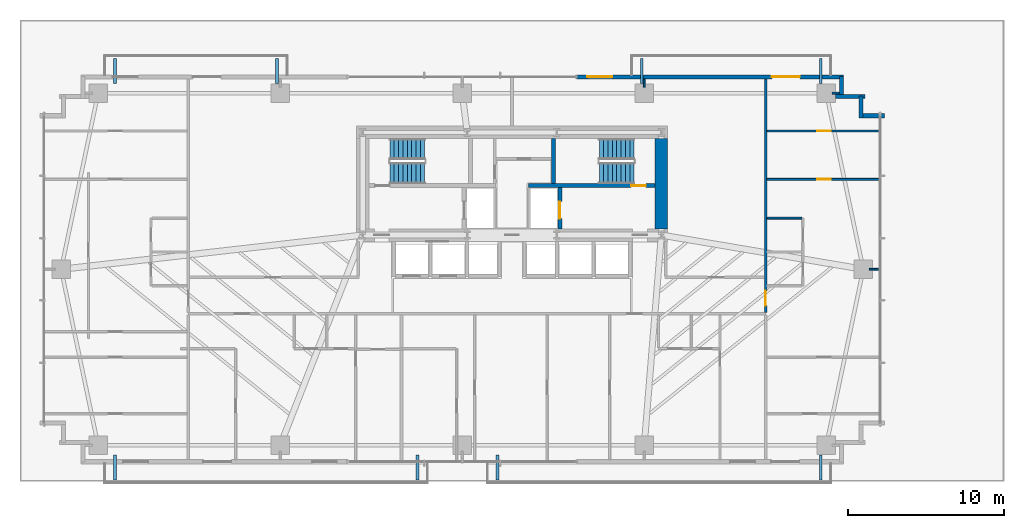
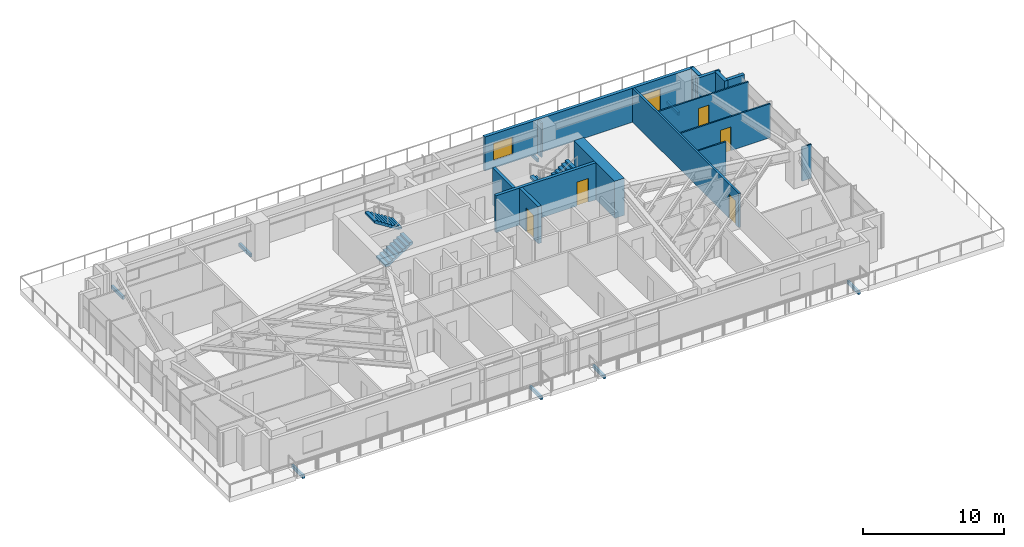
# One storey, part 22 of 26: 16 walls, 8 discrete accessories, 6 doors, 4 stair flights, 1 window, 7 openings, 2 elements without a shape of their own.
"""IFC4 building model written with IfcOpenShell, lengths in metres."""

from ifc_helpers import new_model, si_unit, direction, frame, frame_2d, origin, origin_2d, place, context, subcontext, project, spatial, polyline, rectangle, outline, extrude, source, transform, mapped, material, layer, layer_set, type_object, type_shapes, element, fill, aggregate, save


model = new_model("IFC4")

# Units and contexts
model_context = context("Model", 3, precision=1e-05, world=origin(), true_north=direction((0.0, 1.0)))
body_context = subcontext(model_context, "Body", "Model", "MODEL_VIEW")
ifc_project = project(units=[si_unit("LENGTHUNIT", "METRE"), si_unit("AREAUNIT", "SQUARE_METRE"), si_unit("VOLUMEUNIT", "CUBIC_METRE"), si_unit("PLANEANGLEUNIT", "RADIAN"), si_unit("MASSUNIT", "GRAM", prefix="KILO")], contexts=[model_context])

# Site, building, storey
site_placement = place(None, origin())
site = spatial("IfcSite", under=ifc_project, at=site_placement, CompositionType="ELEMENT")
building_placement = place(site_placement, origin())
building = spatial("IfcBuilding", under=site, at=building_placement, Name="Astriad Promenade Condominiums", CompositionType="ELEMENT")
storey_placement = place(building_placement, frame((0.0, 0.0, 23.0)))
storey = spatial("IfcBuildingStorey", under=building, at=storey_placement, Name="L05", CompositionType="ELEMENT", Elevation=23.0)

# Wall
ifc_material_1 = material(Name="Concrete C80/95", Category="concrete")
ifc_layer_1 = layer(ifc_material_1, 0.800048828125)
ifc_layer_set_1 = layer_set([ifc_layer_1], Name="Concrete C80/95")
wall_type_1 = type_object("IfcWallType", Name="CW-SHEAR-800", PredefinedType="SHEAR", material=ifc_layer_set_1)
wall_1_placement = place(storey_placement, frame((45.60009765625, 17.802001953125, 0.0), z_axis=(0.0, 0.0, 1.0), x_axis=(0.0, 1.0, 0.0)))
element("IfcWall", 1, at=wall_1_placement, inside=storey, type_object=wall_type_1, Name="CW-CORE-E-L05", PredefinedType="SHEAR", context=body_context, shape_type="SweptSolid", body=[
    extrude(rectangle(XDim=5.7958984375, YDim=0.800048828125, at=frame_2d((2.89794921875, 0.0))), origin(), (0.0, 0.0, 1.0), 3.199951171875),
])

# Wall, opening, door
ifc_material_2 = material(Name="Concrete C50/60", Category="concrete")
ifc_layer_2 = layer(ifc_material_2, 0.25)
ifc_layer_set_2 = layer_set([ifc_layer_2], Name="Concrete C50/60")
wall_type_2 = type_object("IfcWallType", Name="WALL-CORE-INT-250", PredefinedType="SOLIDWALL", material=ifc_layer_set_2)
wall_2_placement = place(storey_placement, frame((37.050048828125, 20.574951171875, 0.0), z_axis=(0.0, 0.0, 1.0), x_axis=(1.0, 0.0, 0.0)))
wall_2 = element("IfcWall", 2, at=wall_2_placement, inside=storey, type_object=wall_type_2, Name="CW-INT-H2-L05", PredefinedType="SOLIDWALL", context=body_context, shape_type="SweptSolid", body=[
    extrude(rectangle(XDim=8.14794921875, YDim=0.25, at=frame_2d((4.073974609375, 0.0))), origin(), (0.0, 0.0, 1.0), 3.199951171875),
])
opening_1_placement = place(wall_2_placement, frame((6.60009765625, 0.0, 0.0)))
opening_1 = element("IfcOpeningElement", 3, at=opening_1_placement, cuts=wall_2, Name="Opening FD90-ST-095", PredefinedType="OPENING", context=body_context, shape_type="SweptSolid", body=[
    extrude(rectangle(XDim=0.949951171875, YDim=2.06005859375, at=frame_2d((0.47509765625, 1.030029296875))), frame((0.0, 0.135009765625, 0.0), z_axis=(0.0, -1.0, 0.0), x_axis=(1.0, 0.0, 0.0)), (0.0, 0.0, 1.0), 0.27001953125),
])
ifc_material_3 = material(Name="Fire-Rated Hollow Metal Stair Door")
door_type_1 = type_object("IfcDoorType", Name="FD90-ST-095", OperationType="NOTDEFINED", PredefinedType="DOOR", material=ifc_material_3)
shared_shape_1 = source(origin(), body_context, "Body", "SweptSolid", [
    extrude(rectangle(XDim=0.949951171875, YDim=2.06005859375, at=frame_2d((0.47509765625, 1.030029296875))), frame((0.0, 0.02490234375, 0.0), z_axis=(0.0, -1.0, 0.0), x_axis=(1.0, 0.0, 0.0)), (0.0, 0.0, 1.0), 0.050048828125),
])
type_shapes(door_type_1, [shared_shape_1])
door_1_placement = place(opening_1_placement, origin())
door_1 = element("IfcDoor", 4, at=door_1_placement, inside=storey, type_object=door_type_1, Name="D-ST2-L05", OperationType="SINGLE_SWING_RIGHT", OverallHeight=2.06005859375, OverallWidth=0.949951171875, PredefinedType="DOOR", context=body_context, shape_type="MappedRepresentation", body=[
    mapped(shared_shape_1, transform((0.0, 0.0, 0.0), scale=1.0)),
])
fill(opening_1, door_1)

# Wall
wall_3_placement = place(storey_placement, frame((38.675048828125, 20.701904296875, 0.0), z_axis=(0.0, 0.0, 1.0), x_axis=(0.0, 1.0, 0.0)))
element("IfcWall", 5, at=wall_3_placement, inside=storey, type_object=wall_type_2, Name="CW-ST2-W-L05", PredefinedType="SOLIDWALL", context=body_context, shape_type="SweptSolid", body=[
    extrude(rectangle(XDim=2.89599609375, YDim=0.25, at=frame_2d((1.447998046875, 0.0))), origin(), (0.0, 0.0, 1.0), 3.199951171875),
])

# Wall, opening, door
wall_4_placement = place(storey_placement, frame((39.074951171875, 17.802001953125, 0.0), z_axis=(0.0, 0.0, 1.0), x_axis=(0.0, 1.0, 0.0)))
wall_4 = element("IfcWall", 6, at=wall_4_placement, inside=storey, type_object=wall_type_2, Name="CW-FFL2-E-L05", PredefinedType="SOLIDWALL", context=body_context, shape_type="SweptSolid", body=[
    extrude(rectangle(XDim=2.64599609375, YDim=0.25, at=frame_2d((1.322998046875, 0.0))), origin(), (0.0, 0.0, 1.0), 3.199951171875),
])
opening_2_placement = place(wall_4_placement, frame((0.64794921875, 0.0, 0.0)))
opening_2 = element("IfcOpeningElement", 7, at=opening_2_placement, cuts=wall_4, Name="Opening LD-FFL-1122", PredefinedType="OPENING", context=body_context, shape_type="SweptSolid", body=[
    extrude(rectangle(XDim=1.10009765625, YDim=2.080078125, at=frame_2d((0.550048828125, 1.0400390625))), frame((0.0, 0.135009765625, 0.0), z_axis=(0.0, -1.0, 0.0), x_axis=(1.0, 0.0, 0.0)), (0.0, 0.0, 1.0), 0.27001953125),
])
ifc_material_4 = material(Name="Brushed Stainless Steel Fire Elevator Landing Door", Category="steel")
door_type_2 = type_object("IfcDoorType", Name="LD-FFL-1122", OperationType="NOTDEFINED", PredefinedType="DOOR", material=ifc_material_4)
shared_shape_2 = source(origin(), body_context, "Body", "SweptSolid", [
    extrude(rectangle(XDim=1.10009765625, YDim=2.080078125, at=frame_2d((0.550048828125, 1.0400390625))), frame((0.0, 0.02490234375, 0.0), z_axis=(0.0, -1.0, 0.0), x_axis=(1.0, 0.0, 0.0)), (0.0, 0.0, 1.0), 0.050048828125),
])
type_shapes(door_type_2, [shared_shape_2])
door_2_placement = place(opening_2_placement, origin())
door_2 = element("IfcDoor", 8, at=door_2_placement, inside=storey, type_object=door_type_2, Name="Elevator Landing Door FFL-2 (L05)", OperationType="SLIDING_TO_RIGHT", OverallHeight=2.080078125, OverallWidth=1.10009765625, PredefinedType="DOOR", context=body_context, shape_type="MappedRepresentation", body=[
    mapped(shared_shape_2, transform((0.0, 0.0, 0.0), scale=1.0)),
])
fill(opening_2, door_2)

ifc_material_5 = material(Name="Fire-Rated Gypsum Partition")
ifc_layer_3 = layer(ifc_material_5, 0.159912109375)
ifc_layer_set_3 = layer_set([ifc_layer_3], Name="Fire-Rated Gypsum Partition")
wall_type_3 = type_object("IfcWallType", Name="WALL-CORR-160", PredefinedType="PARTITIONING", material=ifc_layer_set_3)
wall_5_placement = place(storey_placement, frame((52.300048828125, 12.431884765625, 0.0), z_axis=(0.0, 0.0, 1.0), x_axis=(0.0, 1.0, 0.0)))
wall_5 = element("IfcWall", 9, at=wall_5_placement, inside=storey, type_object=wall_type_3, Name="PT-COR-E-L05-S2", PredefinedType="PARTITIONING", context=body_context, shape_type="SweptSolid", body=[
    extrude(rectangle(XDim=15.006103515625, YDim=0.159912109375, at=frame_2d((7.5029296875, 0.0))), origin(), (0.0, 0.0, 1.0), 2.93994140625),
])
opening_3_placement = place(wall_5_placement, frame((0.428955078125, 0.0, 0.0)))
opening_3 = element("IfcOpeningElement", 10, at=opening_3_placement, cuts=wall_5, Name="Opening FD60-APT-095", PredefinedType="OPENING", context=body_context, shape_type="SweptSolid", body=[
    extrude(rectangle(XDim=0.949951171875, YDim=2.06005859375, at=frame_2d((0.47509765625, 1.030029296875))), frame((0.0, 0.08984375, 0.0), z_axis=(0.0, -1.0, 0.0), x_axis=(1.0, 0.0, 0.0)), (0.0, 0.0, 1.0), 0.179931640625),
])
ifc_material_6 = material(Name="Solid-Core Acoustic Timber Residence Entry Door", Category="wood")
door_type_3 = type_object("IfcDoorType", Name="FD60-APT-095", OperationType="NOTDEFINED", PredefinedType="DOOR", material=ifc_material_6)
shared_shape_3 = source(origin(), body_context, "Body", "SweptSolid", [
    extrude(rectangle(XDim=0.949951171875, YDim=2.06005859375, at=frame_2d((0.47509765625, 1.030029296875))), frame((0.0, 0.02490234375, 0.0), z_axis=(0.0, -1.0, 0.0), x_axis=(1.0, 0.0, 0.0)), (0.0, 0.0, 1.0), 0.050048828125),
])
type_shapes(door_type_3, [shared_shape_3])
door_3_placement = place(opening_3_placement, origin())
door_3 = element("IfcDoor", 11, at=door_3_placement, inside=storey, type_object=door_type_3, Name="D-ENT-L05-E1", OperationType="SINGLE_SWING_RIGHT", OverallHeight=2.06005859375, OverallWidth=0.949951171875, PredefinedType="DOOR", context=body_context, shape_type="MappedRepresentation", body=[
    mapped(shared_shape_3, transform((0.0, 0.0, 0.0), scale=1.0)),
])
fill(opening_3, door_3)

# Wall, openings, door, window
ifc_material_7 = material(Name="Precast concrete C50/60", Category="concrete")
ifc_layer_4 = layer(ifc_material_7, 0.260009765625)
ifc_layer_set_4 = layer_set([ifc_layer_4], Name="Precast concrete C50/60")
wall_type_4 = type_object("IfcWallType", Name="WALL-EXT-TWR-260", PredefinedType="STANDARD", material=ifc_layer_set_4)
wall_6_placement = place(storey_placement, frame((40.14990234375, 27.570068359375, 0.0), z_axis=(0.0, 0.0, 1.0), x_axis=(1.0, 0.0, 0.0)))
wall_6 = element("IfcWall", 12, at=wall_6_placement, inside=storey, type_object=wall_type_4, Name="W-EXT-L05-N2", PredefinedType="STANDARD", context=body_context, shape_type="SweptSolid", body=[
    extrude(rectangle(XDim=17.150146484375, YDim=0.260009765625, at=frame_2d((8.5751953125, 0.0))), origin(), (0.0, 0.0, 1.0), 2.93994140625),
])
opening_4_placement = place(wall_6_placement, frame((12.56005859375, 0.0, 0.0)))
opening_4 = element("IfcOpeningElement", 13, at=opening_4_placement, cuts=wall_6, Name="Opening BD-1822-SLD", PredefinedType="OPENING", context=body_context, shape_type="SweptSolid", body=[
    extrude(rectangle(XDim=1.800048828125, YDim=2.06005859375, at=frame_2d((0.89990234375, 1.030029296875))), frame((0.0, 0.139892578125, 0.0), z_axis=(0.0, -1.0, 0.0), x_axis=(1.0, 0.0, 0.0)), (0.0, 0.0, 1.0), 0.280029296875),
])
opening_5_placement = place(wall_6_placement, frame((0.699951171875, 0.0, 0.64990234375)))
opening_5 = element("IfcOpeningElement", 14, at=opening_5_placement, cuts=wall_6, Name="Opening WIN-TWR-1620", PredefinedType="OPENING", context=body_context, shape_type="SweptSolid", body=[
    extrude(rectangle(XDim=1.60009765625, YDim=1.5, at=frame_2d((0.800048828125, 0.75))), frame((0.0, 0.139892578125, 0.0), z_axis=(0.0, -1.0, 0.0), x_axis=(1.0, 0.0, 0.0)), (0.0, 0.0, 1.0), 0.280029296875),
])
ifc_material_8 = material(Name="Thermally Broken Aluminium Sliding Balcony Door", Category="aluminium")
door_type_4 = type_object("IfcDoorType", Name="BD-1822-SLD", OperationType="NOTDEFINED", PredefinedType="DOOR", material=ifc_material_8)
shared_shape_4 = source(origin(), body_context, "Body", "SweptSolid", [
    extrude(rectangle(XDim=1.800048828125, YDim=2.06005859375, at=frame_2d((0.89990234375, 1.030029296875))), frame((0.0, 0.02490234375, 0.0), z_axis=(0.0, -1.0, 0.0), x_axis=(1.0, 0.0, 0.0)), (0.0, 0.0, 1.0), 0.050048828125),
])
type_shapes(door_type_4, [shared_shape_4])
door_4_placement = place(opening_4_placement, origin())
door_4 = element("IfcDoor", 15, at=door_4_placement, inside=storey, type_object=door_type_4, Name="BD-L05-NE", OperationType="SLIDING_TO_RIGHT", OverallHeight=2.06005859375, OverallWidth=1.800048828125, PredefinedType="DOOR", context=body_context, shape_type="MappedRepresentation", body=[
    mapped(shared_shape_4, transform((0.0, 0.0, 0.0), scale=1.0)),
])
fill(opening_4, door_4)
ifc_material_9 = material(Name="Dark Tinted Triple-Glazed Aluminium Window", Category="aluminium")
window_type = type_object("IfcWindowType", Name="WIN-TWR-1620", PartitioningType="SINGLE_PANEL", PredefinedType="WINDOW", material=ifc_material_9)
shared_shape_5 = source(origin(), body_context, "Body", "SweptSolid", [
    extrude(rectangle(XDim=1.60009765625, YDim=1.5, at=frame_2d((0.800048828125, 0.75))), frame((0.0, 0.030029296875, 0.0), z_axis=(0.0, -1.0, 0.0), x_axis=(1.0, 0.0, 0.0)), (0.0, 0.0, 1.0), 0.06005859375),
])
type_shapes(window_type, [shared_shape_5])
window_placement = place(opening_5_placement, origin())
window = element("IfcWindow", 16, at=window_placement, inside=storey, type_object=window_type, Name="WIN-L05-NE", OverallHeight=1.5, OverallWidth=1.60009765625, PartitioningType="SINGLE_PANEL", PredefinedType="WINDOW", context=body_context, shape_type="MappedRepresentation", body=[
    mapped(shared_shape_5, transform((0.0, 0.0, 0.0), scale=1.0)),
])
fill(opening_5, window)

# Walls
wall_7_placement = place(storey_placement, frame((57.169921875, 27.5849609375, 0.0), z_axis=(0.0, 0.0, 1.0), x_axis=(0.0, -1.0, 0.0)))
element("IfcWall", 17, at=wall_7_placement, inside=storey, type_object=wall_type_4, Name="W-SER-L05-09", PredefinedType="STANDARD", context=body_context, shape_type="SweptSolid", body=[
    extrude(rectangle(XDim=1.14990234375, YDim=0.260009765625, at=frame_2d((0.574951171875, 0.0))), origin(), (0.0, 0.0, 1.0), 2.93994140625),
])
wall_8_placement = place(storey_placement, frame((56.802001953125, 26.320068359375, 0.0), z_axis=(0.0, 0.0, 1.0), x_axis=(1.0, 0.0, 0.0)))
element("IfcWall", 18, at=wall_8_placement, inside=storey, type_object=wall_type_4, Name="W-SER-L05-10", PredefinedType="STANDARD", context=body_context, shape_type="SweptSolid", body=[
    extrude(rectangle(XDim=1.8779296875, YDim=0.260009765625, at=frame_2d((0.93896484375, 0.0))), origin(), (0.0, 0.0, 1.0), 2.93994140625),
])
for number, where, z_axis, x_axis, name in (
    (19, (58.419921875, 26.3349609375, 0.0), (0.0, 0.0, 1.0), (0.0, -1.0, 0.0), "W-SER-L05-11"),
    (20, (58.534912109375, 25.070068359375, 0.0), (0.0, 0.0, 1.0), (1.0, 0.0, 0.0), "W-SER-L05-12"),
):
    element("IfcWall", number, at=place(storey_placement, frame(where, z_axis=z_axis, x_axis=x_axis)), inside=storey, type_object=wall_type_4, Name=name, PredefinedType="STANDARD", context=body_context, shape_type="SweptSolid", body=[
        extrude(rectangle(XDim=1.39501953125, YDim=0.260009765625, at=frame_2d((0.697509765625, 0.0))), origin(), (0.0, 0.0, 1.0), 2.93994140625),
    ])
ifc_material_10 = material(Name="Acoustic Metal-Stud Gypsum Partition")
ifc_layer_5 = layer(ifc_material_10, 0.1201171875)
ifc_layer_set_5 = layer_set([ifc_layer_5], Name="Acoustic Metal-Stud Gypsum Partition")
wall_type_5 = type_object("IfcWallType", Name="WALL-PART-120", PredefinedType="PARTITIONING", material=ifc_layer_set_5)
wall_9_placement = place(storey_placement, frame((52.382080078125, 18.486083984375, 0.0), z_axis=(0.0, 0.0, 1.0), x_axis=(1.0, 0.0, 0.0)))
element("IfcWall", 21, at=wall_9_placement, inside=storey, type_object=wall_type_5, Name="PT-L05-E1-PN", PredefinedType="PARTITIONING", context=body_context, shape_type="SweptSolid", body=[
    extrude(rectangle(XDim=2.255859375, YDim=0.1201171875, at=frame_2d((1.1279296875, 0.0))), origin(), (0.0, 0.0, 1.0), 2.93994140625),
])

# Wall, opening, door
wall_10_placement = place(storey_placement, frame((52.382080078125, 24.090087890625, 0.0), z_axis=(0.0, 0.0, 1.0), x_axis=(1.0, 0.0, 0.0)))
wall_10 = element("IfcWall", 22, at=wall_10_placement, inside=storey, type_object=wall_type_5, Name="PT-L05-E1-B1", PredefinedType="PARTITIONING", context=body_context, shape_type="SweptSolid", body=[
    extrude(rectangle(XDim=7.337890625, YDim=0.1201171875, at=frame_2d((3.6689453125, 0.0))), origin(), (0.0, 0.0, 1.0), 2.93994140625),
])
opening_6_placement = place(wall_10_placement, frame((3.2529296875, 0.0, 0.0)))
opening_6 = element("IfcOpeningElement", 23, at=opening_6_placement, cuts=wall_10, Name="Opening D-INT-085", PredefinedType="OPENING", context=body_context, shape_type="SweptSolid", body=[
    extrude(rectangle(XDim=0.85009765625, YDim=2.050048828125, at=frame_2d((0.425048828125, 1.02490234375))), frame((0.0, 0.070068359375, 0.0), z_axis=(0.0, -1.0, 0.0), x_axis=(1.0, 0.0, 0.0)), (0.0, 0.0, 1.0), 0.14013671875),
])
ifc_material_11 = material(Name="Painted Solid-Core Timber Room Door", Category="wood")
door_type_5 = type_object("IfcDoorType", Name="D-INT-085", OperationType="NOTDEFINED", PredefinedType="DOOR", material=ifc_material_11)
shared_shape_6 = source(origin(), body_context, "Body", "SweptSolid", [
    extrude(rectangle(XDim=0.85009765625, YDim=2.050048828125, at=frame_2d((0.425048828125, 1.02490234375))), frame((0.0, 0.02490234375, 0.0), z_axis=(0.0, -1.0, 0.0), x_axis=(1.0, 0.0, 0.0)), (0.0, 0.0, 1.0), 0.050048828125),
])
type_shapes(door_type_5, [shared_shape_6])
door_5_placement = place(opening_6_placement, origin())
door_5 = element("IfcDoor", 24, at=door_5_placement, inside=storey, type_object=door_type_5, Name="D-BD1-L05-E1", OperationType="SINGLE_SWING_LEFT", OverallHeight=2.050048828125, OverallWidth=0.85009765625, PredefinedType="DOOR", context=body_context, shape_type="MappedRepresentation", body=[
    mapped(shared_shape_6, transform((0.0, 0.0, 0.0), scale=1.0)),
])
fill(opening_6, door_5)

wall_11_placement = place(storey_placement, frame((52.382080078125, 20.98095703125, 0.0), z_axis=(0.0, 0.0, 1.0), x_axis=(1.0, 0.0, 0.0)))
wall_11 = element("IfcWall", 25, at=wall_11_placement, inside=storey, type_object=wall_type_5, Name="PT-L05-E1-WDN2", PredefinedType="PARTITIONING", context=body_context, shape_type="SweptSolid", body=[
    extrude(rectangle(XDim=7.337890625, YDim=0.1201171875, at=frame_2d((3.6689453125, 0.0))), origin(), (0.0, 0.0, 1.0), 2.93994140625),
])
opening_7_placement = place(wall_11_placement, frame((3.2529296875, 0.0, 0.0)))
opening_7 = element("IfcOpeningElement", 26, at=opening_7_placement, cuts=wall_11, Name="Opening D-INT-085", PredefinedType="OPENING", context=body_context, shape_type="SweptSolid", body=[
    extrude(rectangle(XDim=0.85009765625, YDim=2.050048828125, at=frame_2d((0.425048828125, 1.02490234375))), frame((0.0, 0.070068359375, 0.0), z_axis=(0.0, -1.0, 0.0), x_axis=(1.0, 0.0, 0.0)), (0.0, 0.0, 1.0), 0.14013671875),
])
door_6_placement = place(opening_7_placement, origin())
door_6 = element("IfcDoor", 27, at=door_6_placement, inside=storey, type_object=door_type_5, Name="D-WDN2-L05-E1", OperationType="SINGLE_SWING_RIGHT", OverallHeight=2.050048828125, OverallWidth=0.85009765625, PredefinedType="DOOR", context=body_context, shape_type="MappedRepresentation", body=[
    mapped(shared_shape_6, transform((0.0, 0.0, 0.0), scale=1.0)),
])
fill(opening_7, door_6)

# Walls
wall_12_placement = place(storey_placement, frame((44.5, 26.89990234375, 0.0), z_axis=(0.0, 0.0, 1.0), x_axis=(0.0, 1.0, 0.0)))
element("IfcWall", 28, at=wall_12_placement, inside=storey, type_object=wall_type_5, Name="PT-PIL-L05-PC09-16", PredefinedType="PARTITIONING", context=body_context, shape_type="SweptSolid", body=[
    extrude(rectangle(XDim=0.5380859375, YDim=0.1201171875, at=frame_2d((0.26904296875, 0.0))), origin(), (0.0, 0.0, 1.0), 2.93994140625),
])
wall_13_placement = place(storey_placement, frame((56.580078125, 26.52001953125, 0.0), z_axis=(0.0, 0.0, 1.0), x_axis=(1.0, 0.0, 0.0)))
element("IfcWall", 29, at=wall_13_placement, inside=storey, type_object=wall_type_5, Name="PT-PIL-L05-PC10-17", PredefinedType="PARTITIONING", context=body_context, shape_type="SweptSolid", body=[
    extrude(rectangle(XDim=0.4580078125, YDim=0.1201171875, at=frame_2d((0.22900390625, 0.0))), origin(), (0.0, 0.0, 1.0), 2.93994140625),
])
wall_14_placement = place(storey_placement, frame((58.9599609375, 15.199951171875, 0.0), z_axis=(0.0, 0.0, 1.0), x_axis=(1.0, 0.0, 0.0)))
element("IfcWall", 30, at=wall_14_placement, inside=storey, type_object=wall_type_5, Name="PT-PIL-L05-PC12-19", PredefinedType="PARTITIONING", context=body_context, shape_type="SweptSolid", body=[
    extrude(rectangle(XDim=0.760009765625, YDim=0.1201171875, at=frame_2d((0.3798828125, 0.0))), origin(), (0.0, 0.0, 1.0), 2.93994140625),
])

# Stair, stair flights
stair_type = type_object("IfcStairType", Name="STR-CORE-1350", PredefinedType="HALF_TURN_STAIR", material=ifc_material_2)
stair_1_placement = place(storey_placement, origin())
stair_1 = element("IfcStair", 31, at=stair_1_placement, inside=storey, type_object=stair_type, Name="L05 Enclosed Core Exit Stair ST-1", PredefinedType="HALF_TURN_STAIR")
stair_flight_type = type_object("IfcStairFlightType", Name="SFL-CORE-1350", PredefinedType="STRAIGHT", material=ifc_material_2)
shared_shape_7 = source(origin(), body_context, "Body", "SweptSolid", [
    extrude(outline(polyline([(0.0, 0.0), (0.0, 0.177734375), (0.280029296875, 0.177734375), (0.280029296875, 0.35546875), (0.56005859375, 0.35546875), (0.56005859375, 0.533447265625), (0.840087890625, 0.533447265625), (0.840087890625, 0.711181640625), (1.1201171875, 0.711181640625), (1.1201171875, 0.888916015625), (1.39990234375, 0.888916015625), (1.39990234375, 1.066650390625), (1.679931640625, 1.066650390625), (1.679931640625, 1.244384765625), (1.9599609375, 1.244384765625), (1.9599609375, 1.422119140625), (2.239990234375, 1.422119140625), (2.239990234375, 1.60009765625), (2.239990234375, 1.24462890625), (0.27978515625, 0.0), (0.0, 0.0)])), frame((0.0, 0.675048828125, 0.0), z_axis=(0.0, -1.0, 0.0), x_axis=(1.0, 0.0, 0.0)), (0.0, 0.0, 1.0), 1.35009765625),
])
type_shapes(stair_flight_type, [shared_shape_7])
stair_flight_1_placement = place(storey_placement, frame((28.14990234375, 21.375, 0.0), z_axis=(0.0, 0.0, 1.0), x_axis=(1.0, 0.0, 0.0)))
stair_flight_1 = element("IfcStairFlight", 32, at=stair_flight_1_placement, type_object=stair_flight_type, Name="ST-1 flight 1", NumberOfRisers=9, NumberOfTreads=8, PredefinedType="STRAIGHT", RiserHeight=0.177777778, TreadLength=0.28, context=body_context, shape_type="MappedRepresentation", body=[
    mapped(shared_shape_7, transform((0.0, 0.0, 0.0), scale=1.0)),
])
stair_flight_2_placement = place(storey_placement, frame((30.389892578125, 22.925048828125, 1.60009765625), z_axis=(0.0, 0.0, 1.0), x_axis=(-1.0, 0.0, 0.0)))
stair_flight_2 = element("IfcStairFlight", 33, at=stair_flight_2_placement, type_object=stair_flight_type, Name="ST-1 flight 2", NumberOfRisers=9, NumberOfTreads=8, PredefinedType="STRAIGHT", RiserHeight=0.177777778, TreadLength=0.28, context=body_context, shape_type="MappedRepresentation", body=[
    mapped(shared_shape_7, transform((0.0, 0.0, 0.0), scale=1.0)),
])
aggregate(stair_1, [stair_flight_1, stair_flight_2])

stair_2_placement = place(storey_placement, origin())
stair_2 = element("IfcStair", 34, at=stair_2_placement, inside=storey, type_object=stair_type, Name="L05 Enclosed Core Exit Stair ST-2", PredefinedType="HALF_TURN_STAIR")
stair_flight_3_placement = place(storey_placement, frame((43.85009765625, 22.925048828125, 0.0), z_axis=(0.0, 0.0, 1.0), x_axis=(-1.0, 0.0, 0.0)))
stair_flight_3 = element("IfcStairFlight", 35, at=stair_flight_3_placement, type_object=stair_flight_type, Name="ST-2 flight 1", NumberOfRisers=9, NumberOfTreads=8, PredefinedType="STRAIGHT", RiserHeight=0.177777778, TreadLength=0.28, context=body_context, shape_type="MappedRepresentation", body=[
    mapped(shared_shape_7, transform((0.0, 0.0, 0.0), scale=1.0)),
])
stair_flight_4_placement = place(storey_placement, frame((41.610107421875, 21.375, 1.60009765625), z_axis=(0.0, 0.0, 1.0), x_axis=(1.0, 0.0, 0.0)))
stair_flight_4 = element("IfcStairFlight", 36, at=stair_flight_4_placement, type_object=stair_flight_type, Name="ST-2 flight 2", NumberOfRisers=9, NumberOfTreads=8, PredefinedType="STRAIGHT", RiserHeight=0.177777778, TreadLength=0.28, context=body_context, shape_type="MappedRepresentation", body=[
    mapped(shared_shape_7, transform((0.0, 0.0, 0.0), scale=1.0)),
])
aggregate(stair_2, [stair_flight_3, stair_flight_4])

# Discrete accessories
ifc_material_12 = material(Name="Steel ASTM A572 Grade 50", Category="steel")
discrete_accessory_type = type_object("IfcDiscreteAccessoryType", Name="STEEL BALCONY OUTRIGGER BRACKET", PredefinedType="BRACKET", material=ifc_material_12)
shared_shape_8 = source(origin(), body_context, "Body", "SweptSolid", [
    extrude(rectangle(XDim=1.60009765625, YDim=0.179931640625, at=origin_2d()), origin(), (0.0, 0.0, 1.0), 0.281982421875),
])
type_shapes(discrete_accessory_type, [shared_shape_8])
for number, where, z_axis, x_axis, name in (
    (37, (10.47802734375, 2.449951171875, -0.5), (0.0, 0.0, 1.0), (0.0, -1.0, 0.0), "Balcony Outrigger Bracket BAL-L05-SW-A"),
    (38, (29.923095703125, 2.449951171875, -0.5), (0.0, 0.0, 1.0), (0.0, -1.0, 0.0), "Balcony Outrigger Bracket BAL-L05-SW-B"),
    (39, (35.068115234375, 2.449951171875, -0.5), (0.0, 0.0, 1.0), (0.0, -1.0, 0.0), "Balcony Outrigger Bracket BAL-L05-SE-A"),
    (40, (55.843994140625, 2.449951171875, -0.5), (0.0, 0.0, 1.0), (0.0, -1.0, 0.0), "Balcony Outrigger Bracket BAL-L05-SE-B"),
    (41, (10.47802734375, 27.949951171875, -0.5), (0.0, 0.0, 1.0), (0.0, 1.0, 0.0), "Balcony Outrigger Bracket BAL-L05-NW-A"),
    (42, (20.89990234375, 27.949951171875, -0.5), (0.0, 0.0, 1.0), (0.0, 1.0, 0.0), "Balcony Outrigger Bracket BAL-L05-NW-B"),
    (43, (44.340087890625, 27.949951171875, -0.5), (0.0, 0.0, 1.0), (0.0, 1.0, 0.0), "Balcony Outrigger Bracket BAL-L05-NE-A"),
    (44, (55.843994140625, 27.949951171875, -0.5), (0.0, 0.0, 1.0), (0.0, 1.0, 0.0), "Balcony Outrigger Bracket BAL-L05-NE-B"),
):
    element("IfcDiscreteAccessory", number, at=place(storey_placement, frame(where, z_axis=z_axis, x_axis=x_axis)), inside=storey, type_object=discrete_accessory_type, Name=name, PredefinedType="BRACKET", context=body_context, shape_type="MappedRepresentation", body=[
        mapped(shared_shape_8, transform((0.0, 0.0, 0.0), scale=1.0)),
    ])

save(model, "model.ifc")
